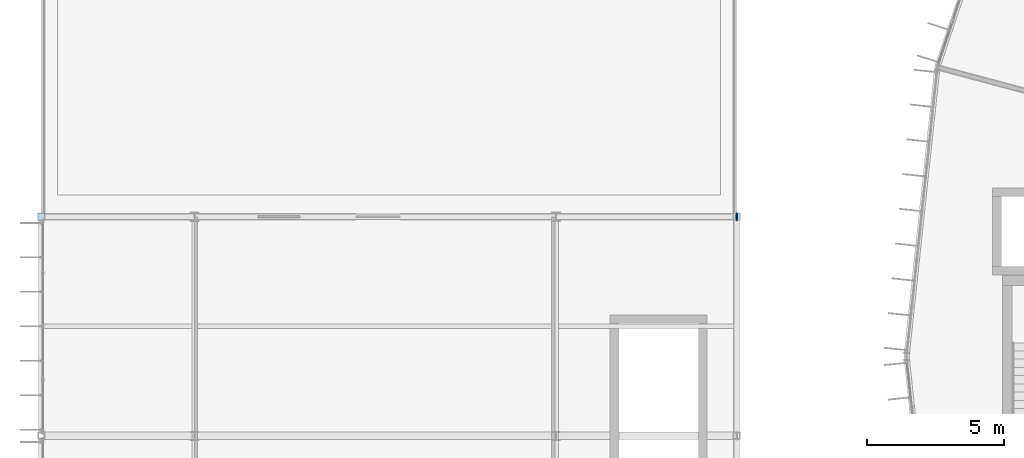
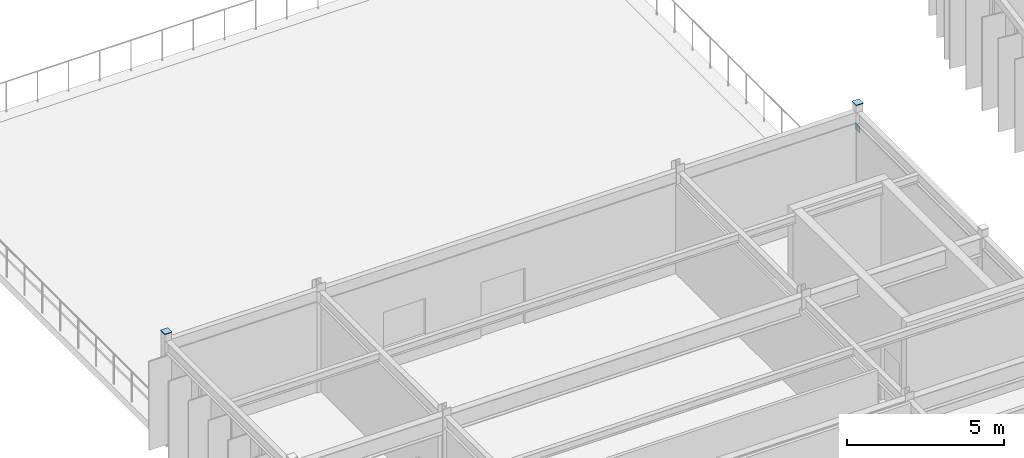
# One storey, part 101 of 130: 3 plates.
"""IFC4 building model written with IfcOpenShell, lengths in metres."""

from ifc_helpers import new_model, si_unit, direction, frame, origin, origin_2d, place, context, subcontext, project, spatial, rectangle, extrude, material, layer, layer_set, type_object, element, save


model = new_model("IFC4")

# Units and contexts
model_context = context("Model", 3, precision=1e-05, world=origin(), true_north=direction((0.0, 1.0)))
body_context = subcontext(model_context, "Body", "Model", "MODEL_VIEW")
ifc_project = project(units=[si_unit("LENGTHUNIT", "METRE"), si_unit("AREAUNIT", "SQUARE_METRE"), si_unit("VOLUMEUNIT", "CUBIC_METRE"), si_unit("PLANEANGLEUNIT", "RADIAN"), si_unit("MASSUNIT", "GRAM", prefix="KILO")], contexts=[model_context])

# Site, building, storey
site_placement = place(None, origin())
site = spatial("IfcSite", under=ifc_project, at=site_placement, CompositionType="ELEMENT")
building_placement = place(site_placement, origin())
building = spatial("IfcBuilding", under=site, at=building_placement, Name="Karori Crest Natural Sciences Institute", CompositionType="ELEMENT")
storey_placement = place(building_placement, frame((0.0, 0.0, 17.5)))
storey = spatial("IfcBuildingStorey", under=building, at=storey_placement, Name="L04", CompositionType="ELEMENT", Elevation=17.5)

# Plates
ifc_material = material(Name="Structural steel AS/NZS 3679.1 Grade 350", Category="steel")
ifc_layer = layer(ifc_material, 0.02490234375, Name="Structural steel AS/NZS 3679.1 Grade 350")
ifc_layer_set = layer_set([ifc_layer], Name="Structural steel AS/NZS 3679.1 Grade 350")
plate_type = type_object("IfcPlateType", Name="PLT-06-EL", PredefinedType="SHEET", material=ifc_layer_set)
for number, where, z_axis, x_axis, name in (
    (1, (1.800048828125, 55.0, 4.199951171875), (0.0, 0.0, 1.0), (1.0, 0.0, 0.0), "Hollow section end cap EP-0229"),
    (2, (27.199951171875, 55.0, 4.199951171875), (0.0, 0.0, 1.0), (1.0, 0.0, 0.0), "Hollow section end cap EP-0236"),
):
    element("IfcPlate", number, at=place(storey_placement, frame(where, z_axis=z_axis, x_axis=x_axis)), inside=storey, type_object=plate_type, Name=name, PredefinedType="SHEET", context=body_context, shape_type="SweptSolid", body=[
        extrude(rectangle(XDim=0.27001953125, YDim=0.27001953125, at=origin_2d()), origin(), (0.0, 0.0, 1.0), 0.02490234375),
    ])
plate_placement = place(storey_placement, frame((27.199951171875, 55.0, 3.10986328125), z_axis=(0.0, 0.0, 1.0), x_axis=(0.0, 1.0, 0.0)))
element("IfcPlate", 3, at=plate_placement, inside=storey, type_object=plate_type, Name="Brace gusset plate EP-0465", PredefinedType="SHEET", context=body_context, shape_type="SweptSolid", body=[
    extrude(rectangle(XDim=0.280029296875, YDim=0.02490234375, at=origin_2d()), origin(), (0.0, 0.0, 1.0), 0.239990234375),
])

save(model, "model.ifc")
